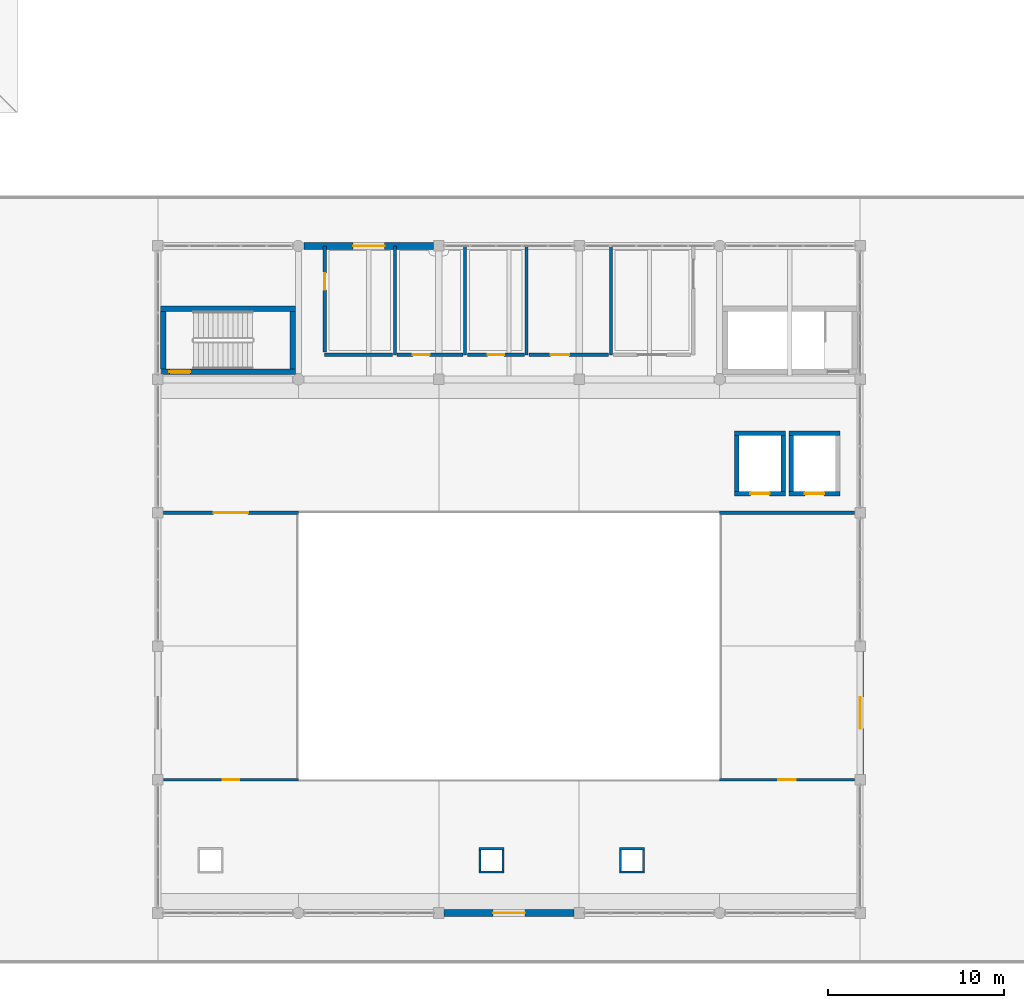
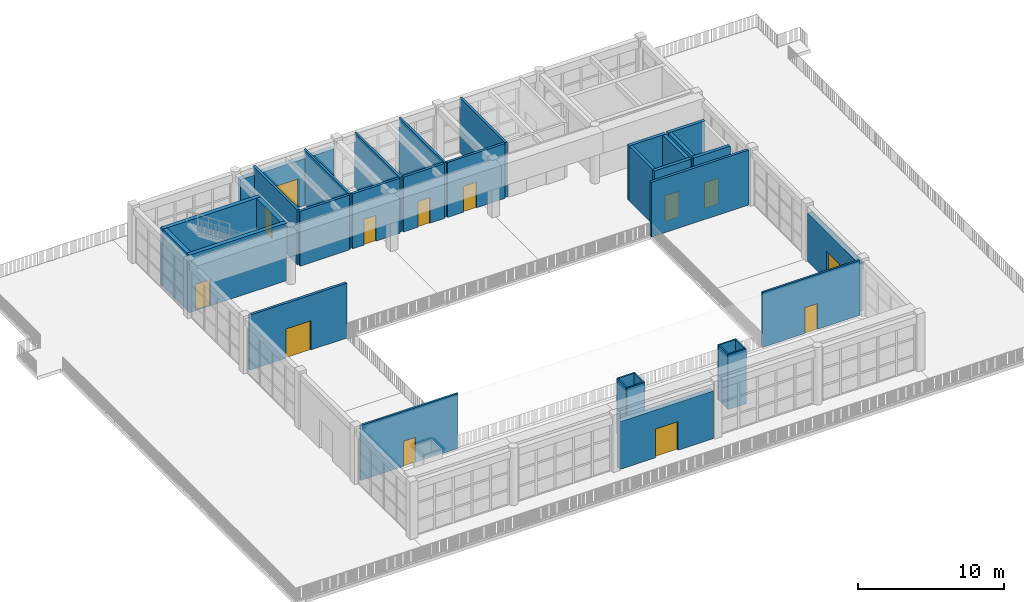
# One storey, part 26 of 32: 35 walls, 13 doors, 13 openings.
"""IFC4 building model written with IfcOpenShell, lengths in metres."""

import ifcopenshell
import ifcopenshell.guid

model = None  # the IFC model being written
_history = None  # IfcOwnerHistory: only IFC2X3 demands one
_inside = {}  # id of a spatial element -> (the spatial element, [elements in it])
_under = {}  # id of a project, library or spatial element -> (it, [spatial elements below it])
_declared = {}  # id of a project -> (the project, [libraries it declares])
_typed = {}  # id of a type object -> (the type object, [elements of that type])
_made_of = {}  # id of a material, layer set ... -> (it, [elements and type objects made of it])


def new_model(schema):
    """Start an empty IFC model of exactly this schema.

    Asked for "IFC4X3", IfcOpenShell would pick the latest addendum, in which some entities
    have other attributes; the version numbers below select the first issue.
    IFC2X3 requires an IfcOwnerHistory on every rooted entity: one is made here for all.
    """
    global model, _history
    if schema == "IFC4X3":
        model = ifcopenshell.file(schema_version=(4, 3, 0, 0))
    else:
        model = ifcopenshell.file(schema=schema)
    _inside.clear()
    _under.clear()
    _declared.clear()
    _typed.clear()
    _made_of.clear()
    _history = None
    if model.schema == "IFC2X3":
        org = make("IfcOrganization", Name="unknown")
        user = make(
            "IfcPersonAndOrganization",
            ThePerson=make("IfcPerson", FamilyName="unknown"),
            TheOrganization=org,
        )
        app = make(
            "IfcApplication",
            ApplicationDeveloper=org,
            Version="unknown",
            ApplicationFullName="unknown",
            ApplicationIdentifier="unknown",
        )
        _history = make(
            "IfcOwnerHistory",
            OwningUser=user,
            OwningApplication=app,
            ChangeAction="ADDED",
            CreationDate=0,
        )
    return model


def make(cls, **values):
    """One entity of the class cls with the attributes given. An attribute that is None is left unset."""
    return model.create_entity(
        cls, **{name: value for name, value in values.items() if value is not None}
    )


def rooted(cls, **values):
    """An entity with a GlobalId (a new one), such as an element, a storey or a relation."""
    return make(cls, GlobalId=ifcopenshell.guid.new(), OwnerHistory=_history, **values)


def si_unit(unit_type, name, prefix=None):
    """IfcSIUnit, for example si_unit("LENGTHUNIT", "METRE", prefix="MILLI")."""
    return make("IfcSIUnit", UnitType=unit_type, Prefix=prefix, Name=name)


def assignment(units):
    """IfcUnitAssignment: the units of a project."""
    return None if units is None else make("IfcUnitAssignment", Units=units)


def point(xyz):
    """IfcCartesianPoint."""
    return None if xyz is None else make("IfcCartesianPoint", Coordinates=xyz)


def direction(xyz):
    """IfcDirection."""
    return None if xyz is None else make("IfcDirection", DirectionRatios=xyz)


def frame(location, z_axis=None, x_axis=None):
    """IfcAxis2Placement3D, a coordinate frame: its origin and axes. An axis left out is left unset."""
    return make(
        "IfcAxis2Placement3D",
        Location=point(location),
        Axis=direction(z_axis),
        RefDirection=direction(x_axis),
    )


def frame_2d(location, x_axis=None):
    """IfcAxis2Placement2D, a coordinate frame in the plane: its origin and x axis."""
    return make(
        "IfcAxis2Placement2D", Location=point(location), RefDirection=direction(x_axis)
    )


def origin():
    """The frame at (0, 0, 0) with its axes left unset."""
    return frame((0.0, 0.0, 0.0))


def place(relative_to, where):
    """IfcLocalPlacement: puts the frame where relative to a parent placement (None: the world)."""
    return make(
        "IfcLocalPlacement", PlacementRelTo=relative_to, RelativePlacement=where
    )


def context(
    kind, dimensions, precision=None, world=None, true_north=None, identifier=None
):
    """IfcGeometricRepresentationContext, for example the 3D "Model" context."""
    return make(
        "IfcGeometricRepresentationContext",
        ContextIdentifier=identifier,
        ContextType=kind,
        CoordinateSpaceDimension=dimensions,
        Precision=precision,
        WorldCoordinateSystem=world,
        TrueNorth=true_north,
    )


def subcontext(parent, identifier, kind, view, scale=None):
    """IfcGeometricRepresentationSubContext, for example "Body" below "Model"."""
    return make(
        "IfcGeometricRepresentationSubContext",
        ContextIdentifier=identifier,
        ContextType=kind,
        ParentContext=parent,
        TargetScale=scale,
        TargetView=view,
    )


def project(units=None, contexts=None):
    """IfcProject with its units and contexts."""
    return rooted(
        "IfcProject",
        Name="project",
        RepresentationContexts=contexts,
        UnitsInContext=assignment(units),
    )


def spatial(cls, under=None, at=None, **own):
    """A site, building, storey or space (cls), placed at a placement, below another one or the project."""
    s = rooted(cls, ObjectPlacement=at, **own)
    if under is not None:
        _under.setdefault(under.id(), (under, []))[1].append(s)
    return s


def profile(cls, at=None, kind="AREA", **sizes):
    """A parametric profile (cls). Its sizes go by their IFC names, for example OverallWidth=200.0."""
    return make(cls, ProfileType=kind, Position=at, **sizes)


def rectangle(**sizes):
    """IfcRectangleProfileDef."""
    return profile("IfcRectangleProfileDef", **sizes)


def extrude(swept, where, along, depth):
    """IfcExtrudedAreaSolid: the profile swept, set in the frame where, extruded along a direction by depth."""
    return make(
        "IfcExtrudedAreaSolid",
        SweptArea=swept,
        Position=where,
        ExtrudedDirection=direction(along),
        Depth=depth,
    )


def shape(context_of_items, identifier, shape_type, items):
    """IfcShapeRepresentation: the items that make up one representation, for example the "Body"."""
    return make(
        "IfcShapeRepresentation",
        ContextOfItems=context_of_items,
        RepresentationIdentifier=identifier,
        RepresentationType=shape_type,
        Items=items,
    )


def material(Name=None, Category=None):
    """IfcMaterial."""
    return make("IfcMaterial", Name=Name, Category=Category)


def layer(
    of_material, thickness, ventilated=None, Name=None, Category=None, Priority=None
):
    """IfcMaterialLayer: one layer of a wall or slab, of a material (None: an air gap)."""
    return make(
        "IfcMaterialLayer",
        Material=of_material,
        LayerThickness=thickness,
        IsVentilated=ventilated,
        Name=Name,
        Category=Category,
        Priority=Priority,
    )


def layer_set(layers, Name=None):
    """IfcMaterialLayerSet."""
    return make("IfcMaterialLayerSet", MaterialLayers=layers, LayerSetName=Name)


def made_of(thing, what):
    """Note that an element or type object is made of a material, layer set ...; save() writes the relation."""
    if what is not None:
        _made_of.setdefault(what.id(), (what, []))[1].append(thing)
    return thing


def type_object(cls, material=None, **own):
    """A type object (cls), such as IfcWallType, which elements share."""
    return made_of(rooted(cls, **own), material)


def element(
    cls,
    number,
    at=None,
    inside=None,
    cuts=None,
    type_object=None,
    material=None,
    context=None,
    identifier="Body",
    shape_type=None,
    held_by="IfcProductDefinitionShape",
    body=None,
    shapes=None,
    **own,
):
    """One element of the class cls, such as IfcWall. Its Tag is "e" and its number.

    at: its placement. inside: the storey or other place that contains it. cuts: it is an
    opening in that element (IfcRelVoidsElement). A single representation is given by context,
    identifier, shape_type and body (its items); several are given by shapes. held_by: the class
    of the entity that holds the representations. save() writes the other relations.
    """
    e = rooted(cls, Tag="e%d" % number, ObjectPlacement=at, **own)
    if body is not None:
        shapes = [shape(context, identifier, shape_type, body)]
    if shapes is not None:
        e.Representation = make(held_by, Representations=shapes)
    if inside is not None:
        _inside.setdefault(inside.id(), (inside, []))[1].append(e)
    if cuts is not None:
        rooted(
            "IfcRelVoidsElement", RelatingBuildingElement=cuts, RelatedOpeningElement=e
        )
    if type_object is not None:
        _typed.setdefault(type_object.id(), (type_object, []))[1].append(e)
    return made_of(e, material)


def fill(opening, filler):
    """IfcRelFillsElement: the door or window that sits in an opening."""
    return rooted(
        "IfcRelFillsElement",
        RelatingOpeningElement=opening,
        RelatedBuildingElement=filler,
    )


def aggregate(whole, parts):
    """IfcRelAggregates: a whole, such as a stair, and the parts it consists of."""
    return rooted("IfcRelAggregates", RelatingObject=whole, RelatedObjects=parts)


def save(model, path):
    """Write the relations noted so far, then the file.

    IfcRelAggregates (storeys below a building ...), IfcRelContainedInSpatialStructure (elements
    in a storey), IfcRelDefinesByType, IfcRelAssociatesMaterial and IfcRelDeclares: one each for
    every whole, place, type object, material and project.
    """
    for whole, parts in _under.values():
        aggregate(whole, parts)
    for where, things in _inside.values():
        rooted(
            "IfcRelContainedInSpatialStructure",
            RelatedElements=things,
            RelatingStructure=where,
        )
    for kind, things in _typed.values():
        rooted("IfcRelDefinesByType", RelatedObjects=things, RelatingType=kind)
    for what, things in _made_of.values():
        rooted("IfcRelAssociatesMaterial", RelatedObjects=things, RelatingMaterial=what)
    for by, libraries in _declared.values():
        rooted("IfcRelDeclares", RelatingContext=by, RelatedDefinitions=libraries)
    model.write(path)


model = new_model("IFC4")

# Units and contexts
model_context = context("Model", 3, precision=1e-05, world=origin(), true_north=direction((0.0, 1.0)))
body_context = subcontext(model_context, "Body", "Model", "MODEL_VIEW")
ifc_project = project(units=[si_unit("LENGTHUNIT", "METRE"), si_unit("AREAUNIT", "SQUARE_METRE"), si_unit("VOLUMEUNIT", "CUBIC_METRE"), si_unit("PLANEANGLEUNIT", "RADIAN"), si_unit("MASSUNIT", "GRAM", prefix="KILO")], contexts=[model_context])

# Site, building, storey
site_placement = place(None, origin())
site = spatial("IfcSite", under=ifc_project, at=site_placement, CompositionType="ELEMENT")
building_placement = place(site_placement, origin())
building = spatial("IfcBuilding", under=site, at=building_placement, Name="Zantavel Square City Hall", CompositionType="ELEMENT")
storey_placement = place(building_placement, frame((0.0, 0.0, 23.699951171875)))
storey = spatial("IfcBuildingStorey", under=building, at=storey_placement, Name="L06", CompositionType="ELEMENT", Elevation=23.699951171875)

# Wall, opening, door
ifc_material_1 = material(Name="Concrete C40/50", Category="concrete")
ifc_layer_1 = layer(ifc_material_1, 0.320068359375, Name="Concrete C40/50")
ifc_layer_set_1 = layer_set([ifc_layer_1], Name="Concrete C40/50")
wall_type_1 = type_object("IfcWallType", Name="Core Shear Wall RC 320mm C40/50", PredefinedType="SHEAR", material=ifc_layer_set_1)
wall_1_placement = place(storey_placement, frame((71.85009765625, 61.239990234375, 0.0), z_axis=(0.0, 0.0, 1.0), x_axis=(-1.0, 0.0, 0.0)))
wall_1 = element("IfcWall", 1, at=wall_1_placement, inside=storey, type_object=wall_type_1, Name="L06 Exit Stair 5 Central West Core Shear Wall South", PredefinedType="SHEAR", context=body_context, shape_type="SweptSolid", body=[
    extrude(rectangle(XDim=7.7001953125, YDim=0.320068359375, at=frame_2d((3.85009765625, 0.0))), origin(), (0.0, 0.0, 1.0), 4.800048828125),
])
opening_1_placement = place(wall_1_placement, frame((6.0, 0.0, 0.0)))
opening_1 = element("IfcOpeningElement", 2, at=opening_1_placement, cuts=wall_1, Name="Opening SD-025", PredefinedType="OPENING", context=body_context, shape_type="SweptSolid", body=[
    extrude(rectangle(XDim=1.199951171875, YDim=2.199951171875, at=frame_2d((0.60009765625, 1.10009765625))), frame((0.0, 0.169921875, 0.0), z_axis=(0.0, -1.0, 0.0), x_axis=(1.0, 0.0, 0.0)), (0.0, 0.0, 1.0), 0.340087890625),
])
ifc_material_2 = material(Name="Steel ASTM A500 Grade B", Category="steel")
door_type_1 = type_object("IfcDoorType", Name="Enclosed Exit Stairwell Fire Door 1200x2200 FD90S", OperationType="NOTDEFINED", PredefinedType="DOOR", material=ifc_material_2)
door_1_placement = place(opening_1_placement, origin())
door_1 = element("IfcDoor", 3, at=door_1_placement, inside=storey, type_object=door_type_1, Name="L06 Exit Stair 5 Central West Core Fire Door", OperationType="SINGLE_SWING_LEFT", OverallHeight=2.199951171875, OverallWidth=1.199951171875, PredefinedType="DOOR", context=body_context, shape_type="SweptSolid", body=[
    extrude(rectangle(XDim=1.199951171875, YDim=2.199951171875, at=frame_2d((0.60009765625, 1.10009765625))), frame((0.0, 0.02490234375, 0.0), z_axis=(0.0, -1.0, 0.0), x_axis=(1.0, 0.0, 0.0)), (0.0, 0.0, 1.0), 0.050048828125),
])
fill(opening_1, door_1)

# Walls
wall_2_placement = place(storey_placement, frame((64.31005859375, 61.39990234375, 0.0), z_axis=(0.0, 0.0, 1.0), x_axis=(0.0, 1.0, 0.0)))
element("IfcWall", 4, at=wall_2_placement, inside=storey, type_object=wall_type_1, Name="L06 Exit Stair 5 Central West Core Shear Wall West", PredefinedType="SHEAR", context=body_context, shape_type="SweptSolid", body=[
    extrude(rectangle(XDim=3.27001953125, YDim=0.320068359375, at=frame_2d((1.635009765625, 0.0))), origin(), (0.0, 0.0, 1.0), 4.800048828125),
])
wall_3_placement = place(storey_placement, frame((64.14990234375, 64.830078125, 0.0), z_axis=(0.0, 0.0, 1.0), x_axis=(1.0, 0.0, 0.0)))
element("IfcWall", 5, at=wall_3_placement, inside=storey, type_object=wall_type_1, Name="L06 Exit Stair 5 Central West Core Shear Wall North", PredefinedType="SHEAR", context=body_context, shape_type="SweptSolid", body=[
    extrude(rectangle(XDim=7.7001953125, YDim=0.320068359375, at=frame_2d((3.85009765625, 0.0))), origin(), (0.0, 0.0, 1.0), 4.800048828125),
])
wall_4_placement = place(storey_placement, frame((71.68994140625, 64.669921875, 0.0), z_axis=(0.0, 0.0, 1.0), x_axis=(0.0, -1.0, 0.0)))
element("IfcWall", 6, at=wall_4_placement, inside=storey, type_object=wall_type_1, Name="L06 Exit Stair 5 Central West Core Shear Wall East", PredefinedType="SHEAR", context=body_context, shape_type="SweptSolid", body=[
    extrude(rectangle(XDim=3.27001953125, YDim=0.320068359375, at=frame_2d((1.635009765625, 0.0))), origin(), (0.0, 0.0, 1.0), 4.800048828125),
])
ifc_material_3 = material(Name="Gypsum acoustic stud assembly", Category="masonry")
ifc_layer_2 = layer(ifc_material_3, 0.179931640625, Name="Gypsum acoustic stud assembly")
ifc_layer_set_2 = layer_set([ifc_layer_2], Name="Gypsum acoustic stud assembly")
wall_type_2 = type_object("IfcWallType", Name="Council Acoustic Partition 180mm", PredefinedType="PARTITIONING", material=ifc_layer_set_2)
wall_5_placement = place(storey_placement, frame((89.800048828125, 62.199951171875, 0.0), z_axis=(0.0, 0.0, 1.0), x_axis=(0.0, 1.0, 0.0)))
element("IfcWall", 7, at=wall_5_placement, inside=storey, type_object=wall_type_2, Name="L06 Interior Wall IW-L06-0357", PredefinedType="PARTITIONING", context=body_context, shape_type="SweptSolid", body=[
    extrude(rectangle(XDim=6.199951171875, YDim=0.179931640625, at=frame_2d((3.10009765625, 0.0))), origin(), (0.0, 0.0, 1.0), 4.580078125),
])

# Wall, opening, door
ifc_layer_3 = layer(ifc_material_3, 0.14990234375, Name="Gypsum acoustic stud assembly")
ifc_layer_set_3 = layer_set([ifc_layer_3], Name="Gypsum acoustic stud assembly")
wall_type_3 = type_object("IfcWallType", Name="Department Office Partition 150mm", PredefinedType="PARTITIONING", material=ifc_layer_set_3)
wall_6_placement = place(storey_placement, frame((64.31005859375, 38.0, 0.0), z_axis=(0.0, 0.0, 1.0), x_axis=(1.0, 0.0, 0.0)))
wall_6 = element("IfcWall", 8, at=wall_6_placement, inside=storey, type_object=wall_type_3, Name="L06 Interior Wall IW-L06-0360", PredefinedType="PARTITIONING", context=body_context, shape_type="SweptSolid", body=[
    extrude(rectangle(XDim=7.68994140625, YDim=0.14990234375, at=frame_2d((3.844970703125, 0.0))), origin(), (0.0, 0.0, 1.0), 4.580078125),
])
opening_2_placement = place(wall_6_placement, frame((3.3701171875, 0.0, 0.0)))
opening_2 = element("IfcOpeningElement", 9, at=opening_2_placement, cuts=wall_6, Name="Opening D-0178", PredefinedType="OPENING", context=body_context, shape_type="SweptSolid", body=[
    extrude(rectangle(XDim=0.949951171875, YDim=2.10009765625, at=frame_2d((0.47509765625, 1.050048828125))), frame((0.0, 0.0849609375, 0.0), z_axis=(0.0, -1.0, 0.0), x_axis=(1.0, 0.0, 0.0)), (0.0, 0.0, 1.0), 0.169921875),
])
ifc_material_4 = material(Name="Solid oak hardwood", Category="wood")
door_type_2 = type_object("IfcDoorType", Name="Office Internal Oak Single Door 950x2100", OperationType="NOTDEFINED", PredefinedType="DOOR", material=ifc_material_4)
door_2_placement = place(opening_2_placement, origin())
door_2 = element("IfcDoor", 10, at=door_2_placement, inside=storey, type_object=door_type_2, Name="L06 Council West Citizens Gallery Door", OperationType="SINGLE_SWING_RIGHT", OverallHeight=2.10009765625, OverallWidth=0.949951171875, PredefinedType="DOOR", context=body_context, shape_type="SweptSolid", body=[
    extrude(rectangle(XDim=0.949951171875, YDim=2.10009765625, at=frame_2d((0.47509765625, 1.050048828125))), frame((0.0, 0.02490234375, 0.0), z_axis=(0.0, -1.0, 0.0), x_axis=(1.0, 0.0, 0.0)), (0.0, 0.0, 1.0), 0.050048828125),
])
fill(opening_2, door_2)

wall_7_placement = place(storey_placement, frame((96.0, 38.0, 0.0), z_axis=(0.0, 0.0, 1.0), x_axis=(1.0, 0.0, 0.0)))
wall_7 = element("IfcWall", 11, at=wall_7_placement, inside=storey, type_object=wall_type_3, Name="L06 Interior Wall IW-L06-0361", PredefinedType="PARTITIONING", context=body_context, shape_type="SweptSolid", body=[
    extrude(rectangle(XDim=7.68994140625, YDim=0.14990234375, at=frame_2d((3.844970703125, 0.0))), origin(), (0.0, 0.0, 1.0), 4.580078125),
])
opening_3_placement = place(wall_7_placement, frame((3.344970703125, 0.0, 0.0)))
opening_3 = element("IfcOpeningElement", 12, at=opening_3_placement, cuts=wall_7, Name="Opening D-0179", PredefinedType="OPENING", context=body_context, shape_type="SweptSolid", body=[
    extrude(rectangle(XDim=1.0, YDim=2.14990234375, at=frame_2d((0.5, 1.074951171875))), frame((0.0, 0.0849609375, 0.0), z_axis=(0.0, -1.0, 0.0), x_axis=(1.0, 0.0, 0.0)), (0.0, 0.0, 1.0), 0.169921875),
])
door_type_3 = type_object("IfcDoorType", Name="Suite Internal Oak Single Door 1000x2150", OperationType="NOTDEFINED", PredefinedType="DOOR", material=ifc_material_4)
door_3_placement = place(opening_3_placement, origin())
door_3 = element("IfcDoor", 13, at=door_3_placement, inside=storey, type_object=door_type_3, Name="L06 Council East Press Gallery Door", OperationType="SINGLE_SWING_LEFT", OverallHeight=2.14990234375, OverallWidth=1.0, PredefinedType="DOOR", context=body_context, shape_type="SweptSolid", body=[
    extrude(rectangle(XDim=1.0, YDim=2.14990234375, at=frame_2d((0.5, 1.074951171875))), frame((0.0, 0.02490234375, 0.0), z_axis=(0.0, -1.0, 0.0), x_axis=(1.0, 0.0, 0.0)), (0.0, 0.0, 1.0), 0.050048828125),
])
fill(opening_3, door_3)

# Wall
ifc_material_5 = material(Name="Cantera volcanic tuff stone", Category="masonry")
ifc_layer_4 = layer(ifc_material_5, 0.199951171875, Name="Cantera volcanic tuff stone")
ifc_layer_set_4 = layer_set([ifc_layer_4], Name="Cantera volcanic tuff stone")
wall_type_4 = type_object("IfcWallType", Name="Exit Corridor Rated Wall 200mm", PredefinedType="STANDARD", material=ifc_layer_set_4)
wall_8_placement = place(storey_placement, frame((77.3701171875, 62.199951171875, 0.0), z_axis=(0.0, 0.0, 1.0), x_axis=(-1.0, 0.0, 0.0)))
element("IfcWall", 14, at=wall_8_placement, inside=storey, type_object=wall_type_4, Name="L06 Interior Wall IW-L06-0351", PredefinedType="STANDARD", context=body_context, shape_type="SweptSolid", body=[
    extrude(rectangle(XDim=3.8701171875, YDim=0.199951171875, at=frame_2d((1.93505859375, 0.0))), origin(), (0.0, 0.0, 1.0), 4.580078125),
])

# Wall, opening, door
wall_9_placement = place(storey_placement, frame((73.5, 62.35009765625, 0.0), z_axis=(0.0, 0.0, 1.0), x_axis=(0.0, 1.0, 0.0)))
wall_9 = element("IfcWall", 15, at=wall_9_placement, inside=storey, type_object=wall_type_4, Name="L06 Interior Wall IW-L06-0352", PredefinedType="STANDARD", context=body_context, shape_type="SweptSolid", body=[
    extrude(rectangle(XDim=6.0498046875, YDim=0.199951171875, at=frame_2d((3.02490234375, 0.0))), origin(), (0.0, 0.0, 1.0), 4.580078125),
])
opening_4_placement = place(wall_9_placement, frame((3.550048828125, 0.0, 0.0)))
opening_4 = element("IfcOpeningElement", 16, at=opening_4_placement, cuts=wall_9, Name="Opening D-0171", PredefinedType="OPENING", context=body_context, shape_type="SweptSolid", body=[
    extrude(rectangle(XDim=0.949951171875, YDim=2.14990234375, at=frame_2d((0.47509765625, 1.074951171875))), frame((0.0, 0.10986328125, 0.0), z_axis=(0.0, -1.0, 0.0), x_axis=(1.0, 0.0, 0.0)), (0.0, 0.0, 1.0), 0.219970703125),
])
door_type_4 = type_object("IfcDoorType", Name="Corridor Restroom Oak Fire Door 950x2150 FD60S", OperationType="NOTDEFINED", PredefinedType="DOOR", material=ifc_material_4)
door_4_placement = place(opening_4_placement, origin())
door_4 = element("IfcDoor", 17, at=door_4_placement, inside=storey, type_object=door_type_4, Name="L06 L06 Mens Restroom Door", OperationType="SINGLE_SWING_LEFT", OverallHeight=2.14990234375, OverallWidth=0.949951171875, PredefinedType="DOOR", context=body_context, shape_type="SweptSolid", body=[
    extrude(rectangle(XDim=0.949951171875, YDim=2.14990234375, at=frame_2d((0.47509765625, 1.074951171875))), frame((0.0, 0.02490234375, 0.0), z_axis=(0.0, -1.0, 0.0), x_axis=(1.0, 0.0, 0.0)), (0.0, 0.0, 1.0), 0.050048828125),
])
fill(opening_4, door_4)

wall_10_placement = place(storey_placement, frame((81.3701171875, 62.199951171875, 0.0), z_axis=(0.0, 0.0, 1.0), x_axis=(-1.0, 0.0, 0.0)))
wall_10 = element("IfcWall", 18, at=wall_10_placement, inside=storey, type_object=wall_type_4, Name="L06 Interior Wall IW-L06-0354", PredefinedType="STANDARD", context=body_context, shape_type="SweptSolid", body=[
    extrude(rectangle(XDim=3.740234375, YDim=0.199951171875, at=frame_2d((1.8701171875, 0.0))), origin(), (0.0, 0.0, 1.0), 4.580078125),
])
opening_5_placement = place(wall_10_placement, frame((1.89501953125, 0.0, 0.0)))
opening_5 = element("IfcOpeningElement", 19, at=opening_5_placement, cuts=wall_10, Name="Opening D-0172", PredefinedType="OPENING", context=body_context, shape_type="SweptSolid", body=[
    extrude(rectangle(XDim=0.949951171875, YDim=2.14990234375, at=frame_2d((0.47509765625, 1.074951171875))), frame((0.0, 0.10986328125, 0.0), z_axis=(0.0, -1.0, 0.0), x_axis=(1.0, 0.0, 0.0)), (0.0, 0.0, 1.0), 0.219970703125),
])
door_5_placement = place(opening_5_placement, origin())
door_5 = element("IfcDoor", 20, at=door_5_placement, inside=storey, type_object=door_type_4, Name="L06 L06 Womens Restroom Door", OperationType="SINGLE_SWING_RIGHT", OverallHeight=2.14990234375, OverallWidth=0.949951171875, PredefinedType="DOOR", context=body_context, shape_type="SweptSolid", body=[
    extrude(rectangle(XDim=0.949951171875, YDim=2.14990234375, at=frame_2d((0.47509765625, 1.074951171875))), frame((0.0, 0.02490234375, 0.0), z_axis=(0.0, -1.0, 0.0), x_axis=(1.0, 0.0, 0.0)), (0.0, 0.0, 1.0), 0.050048828125),
])
fill(opening_5, door_5)

wall_11_placement = place(storey_placement, frame((84.8701171875, 62.199951171875, 0.0), z_axis=(0.0, 0.0, 1.0), x_axis=(-1.0, 0.0, 0.0)))
wall_11 = element("IfcWall", 21, at=wall_11_placement, inside=storey, type_object=wall_type_4, Name="L06 Interior Wall IW-L06-0356", PredefinedType="STANDARD", context=body_context, shape_type="SweptSolid", body=[
    extrude(rectangle(XDim=3.240234375, YDim=0.199951171875, at=frame_2d((1.6201171875, 0.0))), origin(), (0.0, 0.0, 1.0), 4.580078125),
])
opening_6_placement = place(wall_11_placement, frame((1.14501953125, 0.0, 0.0)))
opening_6 = element("IfcOpeningElement", 22, at=opening_6_placement, cuts=wall_11, Name="Opening D-0173", PredefinedType="OPENING", context=body_context, shape_type="SweptSolid", body=[
    extrude(rectangle(XDim=0.949951171875, YDim=2.14990234375, at=frame_2d((0.47509765625, 1.074951171875))), frame((0.0, 0.10986328125, 0.0), z_axis=(0.0, -1.0, 0.0), x_axis=(1.0, 0.0, 0.0)), (0.0, 0.0, 1.0), 0.219970703125),
])
door_6_placement = place(opening_6_placement, origin())
door_6 = element("IfcDoor", 23, at=door_6_placement, inside=storey, type_object=door_type_4, Name="L06 L06 Accessible WC Door", OperationType="SINGLE_SWING_LEFT", OverallHeight=2.14990234375, OverallWidth=0.949951171875, PredefinedType="DOOR", context=body_context, shape_type="SweptSolid", body=[
    extrude(rectangle(XDim=0.949951171875, YDim=2.14990234375, at=frame_2d((0.47509765625, 1.074951171875))), frame((0.0, 0.02490234375, 0.0), z_axis=(0.0, -1.0, 0.0), x_axis=(1.0, 0.0, 0.0)), (0.0, 0.0, 1.0), 0.050048828125),
])
fill(opening_6, door_6)

wall_12_placement = place(storey_placement, frame((64.31005859375, 53.199951171875, 0.0), z_axis=(0.0, 0.0, 1.0), x_axis=(1.0, 0.0, 0.0)))
wall_12 = element("IfcWall", 24, at=wall_12_placement, inside=storey, type_object=wall_type_4, Name="L06 Interior Wall IW-L06-0362", PredefinedType="STANDARD", context=body_context, shape_type="SweptSolid", body=[
    extrude(rectangle(XDim=7.68994140625, YDim=0.199951171875, at=frame_2d((3.844970703125, 0.0))), origin(), (0.0, 0.0, 1.0), 4.580078125),
])
opening_7_placement = place(wall_12_placement, frame((2.864990234375, 0.0, 0.0)))
opening_7 = element("IfcOpeningElement", 25, at=opening_7_placement, cuts=wall_12, Name="Opening D-0175", PredefinedType="OPENING", context=body_context, shape_type="SweptSolid", body=[
    extrude(rectangle(XDim=1.9599609375, YDim=2.43994140625, at=frame_2d((0.97998046875, 1.219970703125))), frame((0.0, 0.10986328125, 0.0), z_axis=(0.0, -1.0, 0.0), x_axis=(1.0, 0.0, 0.0)), (0.0, 0.0, 1.0), 0.219970703125),
])
door_type_5 = type_object("IfcDoorType", Name="Public Gallery Double Fire Door 1960x2440 FD60S", OperationType="NOTDEFINED", PredefinedType="DOOR", material=ifc_material_4)
door_7_placement = place(opening_7_placement, origin())
door_7 = element("IfcDoor", 26, at=door_7_placement, inside=storey, type_object=door_type_5, Name="L06 Council West Citizens Gallery Door", OperationType="DOUBLE_DOOR_SINGLE_SWING", OverallHeight=2.43994140625, OverallWidth=1.9599609375, PredefinedType="DOOR", context=body_context, shape_type="SweptSolid", body=[
    extrude(rectangle(XDim=1.9599609375, YDim=2.43994140625, at=frame_2d((0.97998046875, 1.219970703125))), frame((0.0, 0.02490234375, 0.0), z_axis=(0.0, -1.0, 0.0), x_axis=(1.0, 0.0, 0.0)), (0.0, 0.0, 1.0), 0.050048828125),
])
fill(opening_7, door_7)

# Wall
wall_13_placement = place(storey_placement, frame((96.0, 53.199951171875, 0.0), z_axis=(0.0, 0.0, 1.0), x_axis=(1.0, 0.0, 0.0)))
element("IfcWall", 27, at=wall_13_placement, inside=storey, type_object=wall_type_4, Name="L06 Interior Wall IW-L06-0363", PredefinedType="STANDARD", context=body_context, shape_type="SweptSolid", body=[
    extrude(rectangle(XDim=7.68994140625, YDim=0.199951171875, at=frame_2d((3.844970703125, 0.0))), origin(), (0.0, 0.0, 1.0), 4.580078125),
])

# Wall, opening, door
wall_14_placement = place(storey_placement, frame((89.659912109375, 62.199951171875, 0.0), z_axis=(0.0, 0.0, 1.0), x_axis=(-1.0, 0.0, 0.0)))
wall_14 = element("IfcWall", 28, at=wall_14_placement, inside=storey, type_object=wall_type_4, Name="L06 Interior Wall IW-L06-0364", PredefinedType="STANDARD", context=body_context, shape_type="SweptSolid", body=[
    extrude(rectangle(XDim=4.530029296875, YDim=0.199951171875, at=frame_2d((2.26513671875, 0.0))), origin(), (0.0, 0.0, 1.0), 4.580078125),
])
opening_8_placement = place(wall_14_placement, frame((2.239990234375, 0.0, 0.0)))
opening_8 = element("IfcOpeningElement", 29, at=opening_8_placement, cuts=wall_14, Name="Opening D-0176", PredefinedType="OPENING", context=body_context, shape_type="SweptSolid", body=[
    extrude(rectangle(XDim=1.050048828125, YDim=2.14990234375, at=frame_2d((0.52490234375, 1.074951171875))), frame((0.0, 0.10986328125, 0.0), z_axis=(0.0, -1.0, 0.0), x_axis=(1.0, 0.0, 0.0)), (0.0, 0.0, 1.0), 0.219970703125),
])
door_type_6 = type_object("IfcDoorType", Name="Corridor Office Oak Fire Door 1050x2150 FD60S", OperationType="NOTDEFINED", PredefinedType="DOOR", material=ifc_material_4)
door_8_placement = place(opening_8_placement, origin())
door_8 = element("IfcDoor", 30, at=door_8_placement, inside=storey, type_object=door_type_6, Name="L06 Legislative Broadcast Studio Door", OperationType="SINGLE_SWING_RIGHT", OverallHeight=2.14990234375, OverallWidth=1.050048828125, PredefinedType="DOOR", context=body_context, shape_type="SweptSolid", body=[
    extrude(rectangle(XDim=1.050048828125, YDim=2.14990234375, at=frame_2d((0.52490234375, 1.074951171875))), frame((0.0, 0.02490234375, 0.0), z_axis=(0.0, -1.0, 0.0), x_axis=(1.0, 0.0, 0.0)), (0.0, 0.0, 1.0), 0.050048828125),
])
fill(opening_8, door_8)

ifc_layer_5 = layer(ifc_material_1, 0.25, Name="Concrete C40/50")
ifc_layer_set_5 = layer_set([ifc_layer_5], Name="Concrete C40/50")
wall_type_5 = type_object("IfcWallType", Name="Lift Shaft Wall RC 250mm C40/50", PredefinedType="SHEAR", material=ifc_layer_set_5)
wall_15_placement = place(storey_placement, frame((99.75, 54.27490234375, 0.0), z_axis=(0.0, 0.0, 1.0), x_axis=(-1.0, 0.0, 0.0)))
wall_15 = element("IfcWall", 31, at=wall_15_placement, inside=storey, type_object=wall_type_5, Name="L06 Lift LF03 Shaft Wall South", PredefinedType="SHEAR", context=body_context, shape_type="SweptSolid", body=[
    extrude(rectangle(XDim=2.89990234375, YDim=0.25, at=frame_2d((1.449951171875, 0.0))), origin(), (0.0, 0.0, 1.0), 4.580078125),
])
opening_9_placement = place(wall_15_placement, frame((0.89990234375, 0.0, 0.0)))
opening_9 = element("IfcOpeningElement", 32, at=opening_9_placement, cuts=wall_15, Name="Opening LD-LF03-L06", PredefinedType="OPENING", context=body_context, shape_type="SweptSolid", body=[
    extrude(rectangle(XDim=1.10009765625, YDim=2.14990234375, at=frame_2d((0.550048828125, 1.074951171875))), frame((0.0, 0.135009765625, 0.0), z_axis=(0.0, -1.0, 0.0), x_axis=(1.0, 0.0, 0.0)), (0.0, 0.0, 1.0), 0.27001953125),
])
ifc_material_6 = material(Name="Stainless steel 316", Category="steel")
door_type_7 = type_object("IfcDoorType", Name="Lift Landing Sliding Door 1100x2150 FD90S", OperationType="NOTDEFINED", PredefinedType="DOOR", material=ifc_material_6)
door_9_placement = place(opening_9_placement, origin())
door_9 = element("IfcDoor", 33, at=door_9_placement, inside=storey, type_object=door_type_7, Name="L06 Lift LF03 Sliding Landing Door", OperationType="DOUBLE_DOOR_SLIDING", OverallHeight=2.14990234375, OverallWidth=1.10009765625, PredefinedType="DOOR", context=body_context, shape_type="SweptSolid", body=[
    extrude(rectangle(XDim=1.10009765625, YDim=2.14990234375, at=frame_2d((0.550048828125, 1.074951171875))), frame((0.0, 0.02490234375, 0.0), z_axis=(0.0, -1.0, 0.0), x_axis=(1.0, 0.0, 0.0)), (0.0, 0.0, 1.0), 0.050048828125),
])
fill(opening_9, door_9)

# Walls
wall_16_placement = place(storey_placement, frame((96.97509765625, 54.39990234375, 0.0), z_axis=(0.0, 0.0, 1.0), x_axis=(0.0, 1.0, 0.0)))
element("IfcWall", 34, at=wall_16_placement, inside=storey, type_object=wall_type_5, Name="L06 Lift LF03 Shaft Wall West", PredefinedType="SHEAR", context=body_context, shape_type="SweptSolid", body=[
    extrude(rectangle(XDim=3.2001953125, YDim=0.25, at=frame_2d((1.60009765625, 0.0))), origin(), (0.0, 0.0, 1.0), 4.580078125),
])
wall_17_placement = place(storey_placement, frame((96.85009765625, 57.72509765625, 0.0), z_axis=(0.0, 0.0, 1.0), x_axis=(1.0, 0.0, 0.0)))
element("IfcWall", 35, at=wall_17_placement, inside=storey, type_object=wall_type_5, Name="L06 Lift LF03 Shaft Wall North", PredefinedType="SHEAR", context=body_context, shape_type="SweptSolid", body=[
    extrude(rectangle(XDim=2.89990234375, YDim=0.25, at=frame_2d((1.449951171875, 0.0))), origin(), (0.0, 0.0, 1.0), 4.580078125),
])
wall_18_placement = place(storey_placement, frame((99.625, 57.60009765625, 0.0), z_axis=(0.0, 0.0, 1.0), x_axis=(0.0, -1.0, 0.0)))
element("IfcWall", 36, at=wall_18_placement, inside=storey, type_object=wall_type_5, Name="L06 Lift LF03 Shaft Wall East", PredefinedType="SHEAR", context=body_context, shape_type="SweptSolid", body=[
    extrude(rectangle(XDim=3.2001953125, YDim=0.25, at=frame_2d((1.60009765625, 0.0))), origin(), (0.0, 0.0, 1.0), 4.580078125),
])

# Wall, opening, door
wall_19_placement = place(storey_placement, frame((102.85009765625, 54.27490234375, 0.0), z_axis=(0.0, 0.0, 1.0), x_axis=(-1.0, 0.0, 0.0)))
wall_19 = element("IfcWall", 37, at=wall_19_placement, inside=storey, type_object=wall_type_5, Name="L06 Lift LF04 Shaft Wall South", PredefinedType="SHEAR", context=body_context, shape_type="SweptSolid", body=[
    extrude(rectangle(XDim=2.900146484375, YDim=0.25, at=frame_2d((1.4501953125, 0.0))), origin(), (0.0, 0.0, 1.0), 4.580078125),
])
opening_10_placement = place(wall_19_placement, frame((0.89990234375, 0.0, 0.0)))
opening_10 = element("IfcOpeningElement", 38, at=opening_10_placement, cuts=wall_19, Name="Opening LD-LF04-L06", PredefinedType="OPENING", context=body_context, shape_type="SweptSolid", body=[
    extrude(rectangle(XDim=1.10009765625, YDim=2.14990234375, at=frame_2d((0.550048828125, 1.074951171875))), frame((0.0, 0.135009765625, 0.0), z_axis=(0.0, -1.0, 0.0), x_axis=(1.0, 0.0, 0.0)), (0.0, 0.0, 1.0), 0.27001953125),
])
door_10_placement = place(opening_10_placement, origin())
door_10 = element("IfcDoor", 39, at=door_10_placement, inside=storey, type_object=door_type_7, Name="L06 Lift LF04 Sliding Landing Door", OperationType="DOUBLE_DOOR_SLIDING", OverallHeight=2.14990234375, OverallWidth=1.10009765625, PredefinedType="DOOR", context=body_context, shape_type="SweptSolid", body=[
    extrude(rectangle(XDim=1.10009765625, YDim=2.14990234375, at=frame_2d((0.550048828125, 1.074951171875))), frame((0.0, 0.02490234375, 0.0), z_axis=(0.0, -1.0, 0.0), x_axis=(1.0, 0.0, 0.0)), (0.0, 0.0, 1.0), 0.050048828125),
])
fill(opening_10, door_10)

# Walls
wall_20_placement = place(storey_placement, frame((100.074951171875, 54.39990234375, 0.0), z_axis=(0.0, 0.0, 1.0), x_axis=(0.0, 1.0, 0.0)))
element("IfcWall", 40, at=wall_20_placement, inside=storey, type_object=wall_type_5, Name="L06 Lift LF04 Shaft Wall West", PredefinedType="SHEAR", context=body_context, shape_type="SweptSolid", body=[
    extrude(rectangle(XDim=3.2001953125, YDim=0.25, at=frame_2d((1.60009765625, 0.0))), origin(), (0.0, 0.0, 1.0), 4.580078125),
])
wall_21_placement = place(storey_placement, frame((99.949951171875, 57.72509765625, 0.0), z_axis=(0.0, 0.0, 1.0), x_axis=(1.0, 0.0, 0.0)))
element("IfcWall", 41, at=wall_21_placement, inside=storey, type_object=wall_type_5, Name="L06 Lift LF04 Shaft Wall North", PredefinedType="SHEAR", context=body_context, shape_type="SweptSolid", body=[
    extrude(rectangle(XDim=2.900146484375, YDim=0.25, at=frame_2d((1.4501953125, 0.0))), origin(), (0.0, 0.0, 1.0), 4.580078125),
])
ifc_layer_6 = layer(ifc_material_5, 0.159912109375, Name="Cantera volcanic tuff stone")
ifc_layer_set_6 = layer_set([ifc_layer_6], Name="Cantera volcanic tuff stone")
wall_type_6 = type_object("IfcWallType", Name="Restroom Wet-Wall Partition 160mm", PredefinedType="PARTITIONING", material=ifc_layer_set_6)
for number, where, z_axis, x_axis, name in (
    (42, (77.5, 68.39990234375, 0.0), (0.0, 0.0, 1.0), (0.0, -1.0, 0.0), "L06 Interior Wall IW-L06-0350"),
    (43, (81.5, 68.39990234375, 0.0), (0.0, 0.0, 1.0), (0.0, -1.0, 0.0), "L06 Interior Wall IW-L06-0353"),
    (44, (85.0, 68.39990234375, 0.0), (0.0, 0.0, 1.0), (0.0, -1.0, 0.0), "L06 Interior Wall IW-L06-0355"),
):
    element("IfcWall", number, at=place(storey_placement, frame(where, z_axis=z_axis, x_axis=x_axis)), inside=storey, type_object=wall_type_6, Name=name, PredefinedType="PARTITIONING", context=body_context, shape_type="SweptSolid", body=[
        extrude(rectangle(XDim=6.199951171875, YDim=0.159912109375, at=frame_2d((3.10009765625, 0.0))), origin(), (0.0, 0.0, 1.0), 4.580078125),
    ])
ifc_material_7 = material(Name="Concrete C35/45", Category="concrete")
ifc_layer_7 = layer(ifc_material_7, 0.1201171875, Name="Concrete C35/45")
ifc_layer_set_7 = layer_set([ifc_layer_7], Name="Concrete C35/45")
wall_type_7 = type_object("IfcWallType", Name="Riser Chase Wall RC 120mm C35/45", PredefinedType="PARTITIONING", material=ifc_layer_set_7)
wall_22_placement = place(storey_placement, frame((83.719970703125, 32.739990234375, 0.0), z_axis=(0.0, 0.0, 1.0), x_axis=(-1.0, 0.0, 0.0)))
element("IfcWall", 45, at=wall_22_placement, inside=storey, type_object=wall_type_7, Name="L06 MEP Riser 02 Wall S", PredefinedType="PARTITIONING", context=body_context, shape_type="SweptSolid", body=[
    extrude(rectangle(XDim=1.43994140625, YDim=0.1201171875, at=frame_2d((0.719970703125, 0.0))), origin(), (0.0, 0.0, 1.0), 4.580078125),
])
wall_23_placement = place(storey_placement, frame((82.340087890625, 32.800048828125, 0.0), z_axis=(0.0, 0.0, 1.0), x_axis=(0.0, 1.0, 0.0)))
element("IfcWall", 46, at=wall_23_placement, inside=storey, type_object=wall_type_7, Name="L06 MEP Riser 02 Wall W", PredefinedType="PARTITIONING", context=body_context, shape_type="SweptSolid", body=[
    extrude(rectangle(XDim=1.199951171875, YDim=0.1201171875, at=frame_2d((0.60009765625, 0.0))), origin(), (0.0, 0.0, 1.0), 4.580078125),
])
wall_24_placement = place(storey_placement, frame((82.280029296875, 34.06005859375, 0.0), z_axis=(0.0, 0.0, 1.0), x_axis=(1.0, 0.0, 0.0)))
element("IfcWall", 47, at=wall_24_placement, inside=storey, type_object=wall_type_7, Name="L06 MEP Riser 02 Wall N", PredefinedType="PARTITIONING", context=body_context, shape_type="SweptSolid", body=[
    extrude(rectangle(XDim=1.43994140625, YDim=0.1201171875, at=frame_2d((0.719970703125, 0.0))), origin(), (0.0, 0.0, 1.0), 4.580078125),
])
wall_25_placement = place(storey_placement, frame((83.659912109375, 34.0, 0.0), z_axis=(0.0, 0.0, 1.0), x_axis=(0.0, -1.0, 0.0)))
element("IfcWall", 48, at=wall_25_placement, inside=storey, type_object=wall_type_7, Name="L06 MEP Riser 02 Wall E", PredefinedType="PARTITIONING", context=body_context, shape_type="SweptSolid", body=[
    extrude(rectangle(XDim=1.199951171875, YDim=0.1201171875, at=frame_2d((0.60009765625, 0.0))), origin(), (0.0, 0.0, 1.0), 4.580078125),
])
wall_26_placement = place(storey_placement, frame((91.719970703125, 32.739990234375, 0.0), z_axis=(0.0, 0.0, 1.0), x_axis=(-1.0, 0.0, 0.0)))
element("IfcWall", 49, at=wall_26_placement, inside=storey, type_object=wall_type_7, Name="L06 MEP Riser 03 Wall S", PredefinedType="PARTITIONING", context=body_context, shape_type="SweptSolid", body=[
    extrude(rectangle(XDim=1.43994140625, YDim=0.1201171875, at=frame_2d((0.719970703125, 0.0))), origin(), (0.0, 0.0, 1.0), 4.580078125),
])
wall_27_placement = place(storey_placement, frame((90.340087890625, 32.800048828125, 0.0), z_axis=(0.0, 0.0, 1.0), x_axis=(0.0, 1.0, 0.0)))
element("IfcWall", 50, at=wall_27_placement, inside=storey, type_object=wall_type_7, Name="L06 MEP Riser 03 Wall W", PredefinedType="PARTITIONING", context=body_context, shape_type="SweptSolid", body=[
    extrude(rectangle(XDim=1.199951171875, YDim=0.1201171875, at=frame_2d((0.60009765625, 0.0))), origin(), (0.0, 0.0, 1.0), 4.580078125),
])
wall_28_placement = place(storey_placement, frame((90.280029296875, 34.06005859375, 0.0), z_axis=(0.0, 0.0, 1.0), x_axis=(1.0, 0.0, 0.0)))
element("IfcWall", 51, at=wall_28_placement, inside=storey, type_object=wall_type_7, Name="L06 MEP Riser 03 Wall N", PredefinedType="PARTITIONING", context=body_context, shape_type="SweptSolid", body=[
    extrude(rectangle(XDim=1.43994140625, YDim=0.1201171875, at=frame_2d((0.719970703125, 0.0))), origin(), (0.0, 0.0, 1.0), 4.580078125),
])
wall_29_placement = place(storey_placement, frame((91.659912109375, 34.0, 0.0), z_axis=(0.0, 0.0, 1.0), x_axis=(0.0, -1.0, 0.0)))
element("IfcWall", 52, at=wall_29_placement, inside=storey, type_object=wall_type_7, Name="L06 MEP Riser 03 Wall E", PredefinedType="PARTITIONING", context=body_context, shape_type="SweptSolid", body=[
    extrude(rectangle(XDim=1.199951171875, YDim=0.1201171875, at=frame_2d((0.60009765625, 0.0))), origin(), (0.0, 0.0, 1.0), 4.580078125),
])

# Wall, opening, door
ifc_material_8 = material(Name="White cantera volcanic tuff stone", Category="masonry")
ifc_layer_8 = layer(ifc_material_8, 0.3798828125, Name="White cantera volcanic tuff stone")
ifc_layer_set_8 = layer_set([ifc_layer_8], Name="White cantera volcanic tuff stone")
wall_type_8 = type_object("IfcWallType", Name="White Cantera Tray Facade Wall 380mm", PredefinedType="STANDARD", material=ifc_layer_set_8)
wall_30_placement = place(storey_placement, frame((72.324951171875, 68.39990234375, 0.0), z_axis=(0.0, 0.0, 1.0), x_axis=(1.0, 0.0, 0.0)))
wall_30 = element("IfcWall", 53, at=wall_30_placement, inside=storey, type_object=wall_type_8, Name="L06 Exterior Wall EW-L06-004", PredefinedType="STANDARD", context=body_context, shape_type="SweptSolid", body=[
    extrude(rectangle(XDim=7.375, YDim=0.3798828125, at=frame_2d((3.6875, 0.0))), origin(), (0.0, 0.0, 1.0), 3.929931640625),
])
opening_11_placement = place(wall_30_placement, frame((2.78759765625, 0.0, 0.0)))
opening_11 = element("IfcOpeningElement", 54, at=opening_11_placement, cuts=wall_30, Name="Opening ED-035", PredefinedType="OPENING", context=body_context, shape_type="SweptSolid", body=[
    extrude(rectangle(XDim=1.800048828125, YDim=2.39990234375, at=frame_2d((0.89990234375, 1.199951171875))), frame((0.0, 0.199951171875, 0.0), z_axis=(0.0, -1.0, 0.0), x_axis=(1.0, 0.0, 0.0)), (0.0, 0.0, 1.0), 0.39990234375),
])
ifc_material_9 = material(Name="Anodised aluminium 6063-T6", Category="aluminium")
door_type_8 = type_object("IfcDoorType", Name="Tray Terrace Glazed Double Door 1800x2400", OperationType="NOTDEFINED", PredefinedType="DOOR", material=ifc_material_9)
door_11_placement = place(opening_11_placement, origin())
door_11 = element("IfcDoor", 55, at=door_11_placement, inside=storey, type_object=door_type_8, Name="L06 North Crowning Tray Door", OperationType="DOUBLE_DOOR_SINGLE_SWING", OverallHeight=2.39990234375, OverallWidth=1.800048828125, PredefinedType="DOOR", context=body_context, shape_type="SweptSolid", body=[
    extrude(rectangle(XDim=1.800048828125, YDim=2.39990234375, at=frame_2d((0.89990234375, 1.199951171875))), frame((0.0, 0.02490234375, 0.0), z_axis=(0.0, -1.0, 0.0), x_axis=(1.0, 0.0, 0.0)), (0.0, 0.0, 1.0), 0.050048828125),
])
fill(opening_11, door_11)

wall_31_placement = place(storey_placement, frame((104.0, 45.300048828125, 0.0), z_axis=(0.0, 0.0, 1.0), x_axis=(0.0, -1.0, 0.0)))
wall_31 = element("IfcWall", 56, at=wall_31_placement, inside=storey, type_object=wall_type_8, Name="L06 Exterior Wall EW-L06-011", PredefinedType="STANDARD", context=body_context, shape_type="SweptSolid", body=[
    extrude(rectangle(XDim=7.0, YDim=0.3798828125, at=frame_2d((3.5, 0.0))), origin(), (0.0, 0.0, 1.0), 4.030029296875),
])
opening_12_placement = place(wall_31_placement, frame((2.60009765625, 0.0, 0.0)))
opening_12 = element("IfcOpeningElement", 57, at=opening_12_placement, cuts=wall_31, Name="Opening ED-036", PredefinedType="OPENING", context=body_context, shape_type="SweptSolid", body=[
    extrude(rectangle(XDim=1.800048828125, YDim=2.39990234375, at=frame_2d((0.89990234375, 1.199951171875))), frame((0.0, 0.199951171875, 0.0), z_axis=(0.0, -1.0, 0.0), x_axis=(1.0, 0.0, 0.0)), (0.0, 0.0, 1.0), 0.39990234375),
])
door_12_placement = place(opening_12_placement, origin())
door_12 = element("IfcDoor", 58, at=door_12_placement, inside=storey, type_object=door_type_8, Name="L06 East Crowning Tray Door", OperationType="DOUBLE_DOOR_SINGLE_SWING", OverallHeight=2.39990234375, OverallWidth=1.800048828125, PredefinedType="DOOR", context=body_context, shape_type="SweptSolid", body=[
    extrude(rectangle(XDim=1.800048828125, YDim=2.39990234375, at=frame_2d((0.89990234375, 1.199951171875))), frame((0.0, 0.02490234375, 0.0), z_axis=(0.0, -1.0, 0.0), x_axis=(1.0, 0.0, 0.0)), (0.0, 0.0, 1.0), 0.050048828125),
])
fill(opening_12, door_12)

wall_32_placement = place(storey_placement, frame((87.699951171875, 30.39990234375, 0.0), z_axis=(0.0, 0.0, 1.0), x_axis=(-1.0, 0.0, 0.0)))
wall_32 = element("IfcWall", 59, at=wall_32_placement, inside=storey, type_object=wall_type_8, Name="L06 Exterior Wall EW-L06-015", PredefinedType="STANDARD", context=body_context, shape_type="SweptSolid", body=[
    extrude(rectangle(XDim=7.39990234375, YDim=0.3798828125, at=frame_2d((3.699951171875, 0.0))), origin(), (0.0, 0.0, 1.0), 3.97998046875),
])
opening_13_placement = place(wall_32_placement, frame((2.800048828125, 0.0, 0.0)))
opening_13 = element("IfcOpeningElement", 60, at=opening_13_placement, cuts=wall_32, Name="Opening ED-037", PredefinedType="OPENING", context=body_context, shape_type="SweptSolid", body=[
    extrude(rectangle(XDim=1.800048828125, YDim=2.39990234375, at=frame_2d((0.89990234375, 1.199951171875))), frame((0.0, 0.199951171875, 0.0), z_axis=(0.0, -1.0, 0.0), x_axis=(1.0, 0.0, 0.0)), (0.0, 0.0, 1.0), 0.39990234375),
])
door_13_placement = place(opening_13_placement, origin())
door_13 = element("IfcDoor", 61, at=door_13_placement, inside=storey, type_object=door_type_8, Name="L06 South Crowning Tray Door", OperationType="DOUBLE_DOOR_SINGLE_SWING", OverallHeight=2.39990234375, OverallWidth=1.800048828125, PredefinedType="DOOR", context=body_context, shape_type="SweptSolid", body=[
    extrude(rectangle(XDim=1.800048828125, YDim=2.39990234375, at=frame_2d((0.89990234375, 1.199951171875))), frame((0.0, 0.02490234375, 0.0), z_axis=(0.0, -1.0, 0.0), x_axis=(1.0, 0.0, 0.0)), (0.0, 0.0, 1.0), 0.050048828125),
])
fill(opening_13, door_13)

save(model, "model.ifc")
